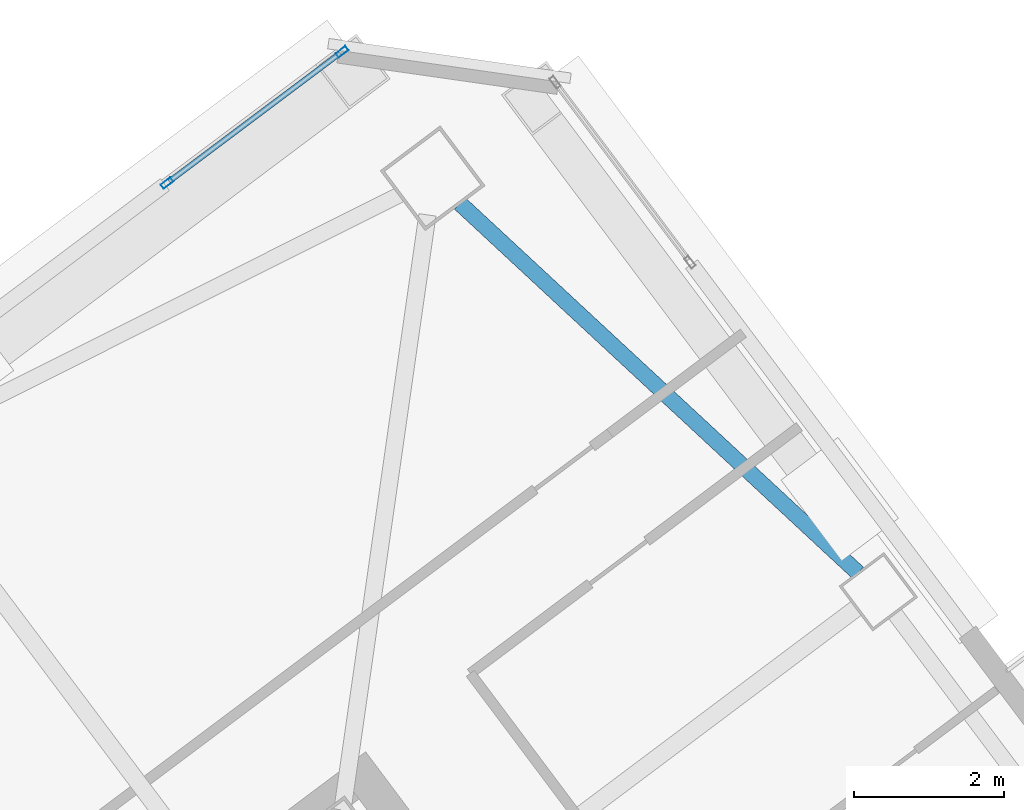
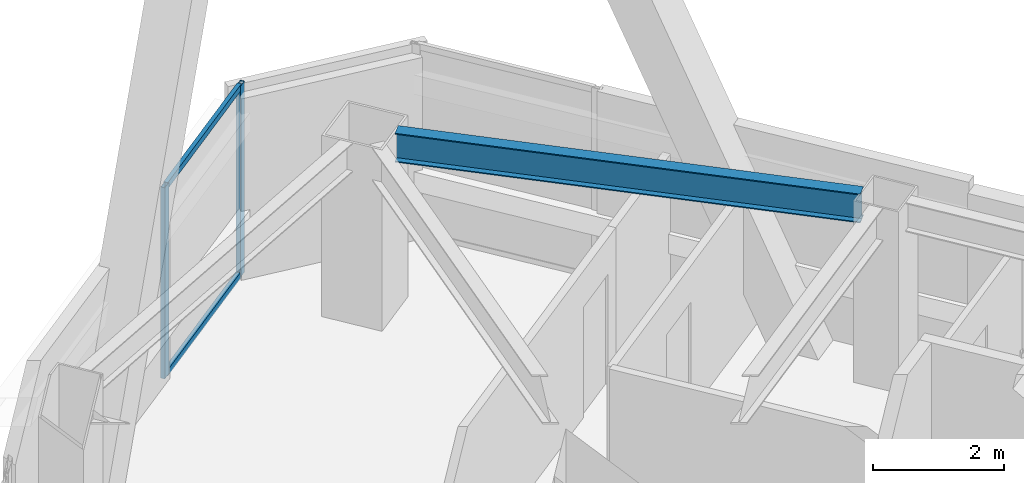
# One storey, part 42 of 56: 4 members, 1 beam, 1 element without a shape of its own.
"""IFC4 building model written with IfcOpenShell, lengths in metres."""

import ifcopenshell
import ifcopenshell.guid

model = None  # the IFC model being written
_history = None  # IfcOwnerHistory: only IFC2X3 demands one
_inside = {}  # id of a spatial element -> (the spatial element, [elements in it])
_under = {}  # id of a project, library or spatial element -> (it, [spatial elements below it])
_declared = {}  # id of a project -> (the project, [libraries it declares])
_typed = {}  # id of a type object -> (the type object, [elements of that type])
_made_of = {}  # id of a material, layer set ... -> (it, [elements and type objects made of it])


def new_model(schema):
    """Start an empty IFC model of exactly this schema.

    Asked for "IFC4X3", IfcOpenShell would pick the latest addendum, in which some entities
    have other attributes; the version numbers below select the first issue.
    IFC2X3 requires an IfcOwnerHistory on every rooted entity: one is made here for all.
    """
    global model, _history
    if schema == "IFC4X3":
        model = ifcopenshell.file(schema_version=(4, 3, 0, 0))
    else:
        model = ifcopenshell.file(schema=schema)
    _inside.clear()
    _under.clear()
    _declared.clear()
    _typed.clear()
    _made_of.clear()
    _history = None
    if model.schema == "IFC2X3":
        org = make("IfcOrganization", Name="unknown")
        user = make(
            "IfcPersonAndOrganization",
            ThePerson=make("IfcPerson", FamilyName="unknown"),
            TheOrganization=org,
        )
        app = make(
            "IfcApplication",
            ApplicationDeveloper=org,
            Version="unknown",
            ApplicationFullName="unknown",
            ApplicationIdentifier="unknown",
        )
        _history = make(
            "IfcOwnerHistory",
            OwningUser=user,
            OwningApplication=app,
            ChangeAction="ADDED",
            CreationDate=0,
        )
    return model


def make(cls, **values):
    """One entity of the class cls with the attributes given. An attribute that is None is left unset."""
    return model.create_entity(
        cls, **{name: value for name, value in values.items() if value is not None}
    )


def rooted(cls, **values):
    """An entity with a GlobalId (a new one), such as an element, a storey or a relation."""
    return make(cls, GlobalId=ifcopenshell.guid.new(), OwnerHistory=_history, **values)


def si_unit(unit_type, name, prefix=None):
    """IfcSIUnit, for example si_unit("LENGTHUNIT", "METRE", prefix="MILLI")."""
    return make("IfcSIUnit", UnitType=unit_type, Prefix=prefix, Name=name)


def assignment(units):
    """IfcUnitAssignment: the units of a project."""
    return None if units is None else make("IfcUnitAssignment", Units=units)


def point(xyz):
    """IfcCartesianPoint."""
    return None if xyz is None else make("IfcCartesianPoint", Coordinates=xyz)


def direction(xyz):
    """IfcDirection."""
    return None if xyz is None else make("IfcDirection", DirectionRatios=xyz)


def frame(location, z_axis=None, x_axis=None):
    """IfcAxis2Placement3D, a coordinate frame: its origin and axes. An axis left out is left unset."""
    return make(
        "IfcAxis2Placement3D",
        Location=point(location),
        Axis=direction(z_axis),
        RefDirection=direction(x_axis),
    )


def frame_2d(location, x_axis=None):
    """IfcAxis2Placement2D, a coordinate frame in the plane: its origin and x axis."""
    return make(
        "IfcAxis2Placement2D", Location=point(location), RefDirection=direction(x_axis)
    )


def origin():
    """The frame at (0, 0, 0) with its axes left unset."""
    return frame((0.0, 0.0, 0.0))


def origin_2d():
    """The frame at (0, 0) in the plane with its x axis left unset."""
    return frame_2d((0.0, 0.0))


def place(relative_to, where):
    """IfcLocalPlacement: puts the frame where relative to a parent placement (None: the world)."""
    return make(
        "IfcLocalPlacement", PlacementRelTo=relative_to, RelativePlacement=where
    )


def context(
    kind, dimensions, precision=None, world=None, true_north=None, identifier=None
):
    """IfcGeometricRepresentationContext, for example the 3D "Model" context."""
    return make(
        "IfcGeometricRepresentationContext",
        ContextIdentifier=identifier,
        ContextType=kind,
        CoordinateSpaceDimension=dimensions,
        Precision=precision,
        WorldCoordinateSystem=world,
        TrueNorth=true_north,
    )


def subcontext(parent, identifier, kind, view, scale=None):
    """IfcGeometricRepresentationSubContext, for example "Body" below "Model"."""
    return make(
        "IfcGeometricRepresentationSubContext",
        ContextIdentifier=identifier,
        ContextType=kind,
        ParentContext=parent,
        TargetScale=scale,
        TargetView=view,
    )


def project(units=None, contexts=None):
    """IfcProject with its units and contexts."""
    return rooted(
        "IfcProject",
        Name="project",
        RepresentationContexts=contexts,
        UnitsInContext=assignment(units),
    )


def spatial(cls, under=None, at=None, **own):
    """A site, building, storey or space (cls), placed at a placement, below another one or the project."""
    s = rooted(cls, ObjectPlacement=at, **own)
    if under is not None:
        _under.setdefault(under.id(), (under, []))[1].append(s)
    return s


def profile(cls, at=None, kind="AREA", **sizes):
    """A parametric profile (cls). Its sizes go by their IFC names, for example OverallWidth=200.0."""
    return make(cls, ProfileType=kind, Position=at, **sizes)


def hollow_rectangle(**sizes):
    """IfcRectangleHollowProfileDef."""
    return profile("IfcRectangleHollowProfileDef", **sizes)


def i_section(**sizes):
    """IfcIShapeProfileDef."""
    return profile("IfcIShapeProfileDef", **sizes)


def extrude(swept, where, along, depth):
    """IfcExtrudedAreaSolid: the profile swept, set in the frame where, extruded along a direction by depth."""
    return make(
        "IfcExtrudedAreaSolid",
        SweptArea=swept,
        Position=where,
        ExtrudedDirection=direction(along),
        Depth=depth,
    )


def shape(context_of_items, identifier, shape_type, items):
    """IfcShapeRepresentation: the items that make up one representation, for example the "Body"."""
    return make(
        "IfcShapeRepresentation",
        ContextOfItems=context_of_items,
        RepresentationIdentifier=identifier,
        RepresentationType=shape_type,
        Items=items,
    )


def material(Name=None, Category=None):
    """IfcMaterial."""
    return make("IfcMaterial", Name=Name, Category=Category)


def material_profile(
    of_material, cross_section, Name=None, Category=None, Priority=None
):
    """IfcMaterialProfile: a cross section and its material."""
    return make(
        "IfcMaterialProfile",
        Name=Name,
        Material=of_material,
        Profile=cross_section,
        Priority=Priority,
        Category=Category,
    )


def profile_set(profiles, Name=None, composite=None):
    """IfcMaterialProfileSet."""
    return make(
        "IfcMaterialProfileSet",
        Name=Name,
        MaterialProfiles=profiles,
        CompositeProfile=composite,
    )


def made_of(thing, what):
    """Note that an element or type object is made of a material, layer set ...; save() writes the relation."""
    if what is not None:
        _made_of.setdefault(what.id(), (what, []))[1].append(thing)
    return thing


def type_object(cls, material=None, **own):
    """A type object (cls), such as IfcWallType, which elements share."""
    return made_of(rooted(cls, **own), material)


def element(
    cls,
    number,
    at=None,
    inside=None,
    cuts=None,
    type_object=None,
    material=None,
    context=None,
    identifier="Body",
    shape_type=None,
    held_by="IfcProductDefinitionShape",
    body=None,
    shapes=None,
    **own,
):
    """One element of the class cls, such as IfcWall. Its Tag is "e" and its number.

    at: its placement. inside: the storey or other place that contains it. cuts: it is an
    opening in that element (IfcRelVoidsElement). A single representation is given by context,
    identifier, shape_type and body (its items); several are given by shapes. held_by: the class
    of the entity that holds the representations. save() writes the other relations.
    """
    e = rooted(cls, Tag="e%d" % number, ObjectPlacement=at, **own)
    if body is not None:
        shapes = [shape(context, identifier, shape_type, body)]
    if shapes is not None:
        e.Representation = make(held_by, Representations=shapes)
    if inside is not None:
        _inside.setdefault(inside.id(), (inside, []))[1].append(e)
    if cuts is not None:
        rooted(
            "IfcRelVoidsElement", RelatingBuildingElement=cuts, RelatedOpeningElement=e
        )
    if type_object is not None:
        _typed.setdefault(type_object.id(), (type_object, []))[1].append(e)
    return made_of(e, material)


def aggregate(whole, parts):
    """IfcRelAggregates: a whole, such as a stair, and the parts it consists of."""
    return rooted("IfcRelAggregates", RelatingObject=whole, RelatedObjects=parts)


def save(model, path):
    """Write the relations noted so far, then the file.

    IfcRelAggregates (storeys below a building ...), IfcRelContainedInSpatialStructure (elements
    in a storey), IfcRelDefinesByType, IfcRelAssociatesMaterial and IfcRelDeclares: one each for
    every whole, place, type object, material and project.
    """
    for whole, parts in _under.values():
        aggregate(whole, parts)
    for where, things in _inside.values():
        rooted(
            "IfcRelContainedInSpatialStructure",
            RelatedElements=things,
            RelatingStructure=where,
        )
    for kind, things in _typed.values():
        rooted("IfcRelDefinesByType", RelatedObjects=things, RelatingType=kind)
    for what, things in _made_of.values():
        rooted("IfcRelAssociatesMaterial", RelatedObjects=things, RelatingMaterial=what)
    for by, libraries in _declared.values():
        rooted("IfcRelDeclares", RelatingContext=by, RelatedDefinitions=libraries)
    model.write(path)


model = new_model("IFC4")

# Units and contexts
model_context = context("Model", 3, precision=1e-05, world=origin(), true_north=direction((0.0, 1.0)))
body_context = subcontext(model_context, "Body", "Model", "MODEL_VIEW")
ifc_project = project(units=[si_unit("LENGTHUNIT", "METRE"), si_unit("AREAUNIT", "SQUARE_METRE"), si_unit("VOLUMEUNIT", "CUBIC_METRE"), si_unit("PLANEANGLEUNIT", "RADIAN"), si_unit("MASSUNIT", "GRAM", prefix="KILO")], contexts=[model_context])

# Site, building, storey
site_placement = place(None, origin())
site = spatial("IfcSite", under=ifc_project, at=site_placement, CompositionType="ELEMENT")
building_placement = place(site_placement, origin())
building = spatial("IfcBuilding", under=site, at=building_placement, Name="Tashvorn Skyway Center", CompositionType="ELEMENT")
storey_placement = place(building_placement, frame((0.0, 0.0, 218.39990234375)))
storey = spatial("IfcBuildingStorey", under=building, at=storey_placement, Name="L59", CompositionType="ELEMENT", Elevation=218.39990234375)

# Beam
ifc_material_1 = material(Name="Steel ASTM A992 Grade 50", Category="steel")
ifc_material_profile_1 = material_profile(ifc_material_1, i_section(OverallWidth=0.2109375, OverallDepth=0.5390625, WebThickness=0.01171875, FlangeThickness=0.018798828125, at=origin_2d()), Name="W21X73")
ifc_profile_set_1 = profile_set([ifc_material_profile_1], Name="Steel ASTM A992 Grade 50")
beam_type = type_object("IfcBeamType", Name="BM-SPANDREL-W21X73", PredefinedType="SPANDREL", material=ifc_profile_set_1)
beam_placement = place(storey_placement, frame((122.36865234375, 45.481689453125, 3.1005859375), z_axis=(-0.733042389989, 0.680182956622, 0.0), x_axis=(-0.680182956622, -0.733042389989, 0.0)))
element("IfcBeam", 1, at=beam_placement, inside=storey, type_object=beam_type, Name="Tower 2 L59 Spandrel Beam 06", PredefinedType="SPANDREL", context=body_context, shape_type="SweptSolid", body=[
    extrude(i_section(OverallWidth=0.2109375, OverallDepth=0.5390625, WebThickness=0.01171875, FlangeThickness=0.018798828125, at=origin_2d()), origin(), (0.0, 0.0, 1.0), 7.26513671875),
])

# Curtain wall, members
ifc_material_2 = material(Name="Thermally broken bronze-anodized aluminium 6063-T6", Category="aluminium")
curtain_wall_type = type_object("IfcCurtainWallType", Name="CW-CW-Z5", PredefinedType="NOTDEFINED", material=ifc_material_2)
curtain_wall_placement = place(storey_placement, origin())
curtain_wall = element("IfcCurtainWall", 2, at=curtain_wall_placement, inside=storey, type_object=curtain_wall_type, Name="Tower 2 L59 North Unitised Curtain Wall Glazing Group 3", PredefinedType="NOTDEFINED")
ifc_material_profile_2 = material_profile(ifc_material_2, hollow_rectangle(XDim=0.070068359375, YDim=0.1650390625, WallThickness=0.00390625, at=origin_2d()), Name="ALU-MULL-70x165")
ifc_profile_set_2 = profile_set([ifc_material_profile_2], Name="Thermally broken bronze-anodized aluminium 6063-T6")
member_type_1 = type_object("IfcMemberType", Name="CWM-CW-Z5", PredefinedType="MULLION", material=ifc_profile_set_2)
member_1_placement = place(storey_placement, frame((113.127685546875, 50.69580078125, 0.0), z_axis=(0.0, 0.0, 1.0), x_axis=(-0.600000000002, 0.799999999998, 0.0)))
member_1 = element("IfcMember", 3, at=member_1_placement, type_object=member_type_1, Name="CW-Z5 mullion 1", PredefinedType="MULLION", context=body_context, shape_type="SweptSolid", body=[
    extrude(hollow_rectangle(XDim=0.070068359375, YDim=0.1650390625, WallThickness=0.00390625, at=origin_2d()), origin(), (0.0, 0.0, 1.0), 3.550048828125),
])
member_2_placement = place(storey_placement, frame((115.468017578125, 52.450927734375, 0.0), z_axis=(0.0, 0.0, 1.0), x_axis=(-0.600000000002, 0.799999999998, 0.0)))
member_2 = element("IfcMember", 4, at=member_2_placement, type_object=member_type_1, Name="CW-Z5 mullion 2", PredefinedType="MULLION", context=body_context, shape_type="SweptSolid", body=[
    extrude(hollow_rectangle(XDim=0.070068359375, YDim=0.1650390625, WallThickness=0.00390625, at=origin_2d()), origin(), (0.0, 0.0, 1.0), 3.550048828125),
])
ifc_material_profile_3 = material_profile(ifc_material_2, hollow_rectangle(XDim=0.070068359375, YDim=0.114990234375, WallThickness=0.00390625, at=origin_2d()), Name="ALU-TRAN-70x115")
ifc_profile_set_3 = profile_set([ifc_material_profile_3], Name="Thermally broken bronze-anodized aluminium 6063-T6")
member_type_2 = type_object("IfcMemberType", Name="CWT-CW-Z5", PredefinedType="USERDEFINED", material=ifc_profile_set_3)
member_3_placement = place(storey_placement, frame((113.155517578125, 50.716796875, 0.03515625), z_axis=(0.800030779227, 0.599958958837, 0.0), x_axis=(-0.599958958837, 0.800030779227, 0.0)))
member_3 = element("IfcMember", 5, at=member_3_placement, type_object=member_type_2, Name="CW-Z5 transom 1.1", ObjectType="TRANSOM", PredefinedType="USERDEFINED", context=body_context, shape_type="SweptSolid", body=[
    extrude(hollow_rectangle(XDim=0.070068359375, YDim=0.114990234375, WallThickness=0.00390625, at=origin_2d()), origin(), (0.0, 0.0, 1.0), 2.85546875),
])
member_4_placement = place(storey_placement, frame((113.155517578125, 50.716796875, 3.51513671875), z_axis=(0.800030779227, 0.599958958837, 0.0), x_axis=(-0.599958958837, 0.800030779227, 0.0)))
member_4 = element("IfcMember", 6, at=member_4_placement, type_object=member_type_2, Name="CW-Z5 transom 1.2", ObjectType="TRANSOM", PredefinedType="USERDEFINED", context=body_context, shape_type="SweptSolid", body=[
    extrude(hollow_rectangle(XDim=0.070068359375, YDim=0.114990234375, WallThickness=0.00390625, at=origin_2d()), origin(), (0.0, 0.0, 1.0), 2.85546875),
])
aggregate(curtain_wall, [member_1, member_2, member_3, member_4])

save(model, "model.ifc")
